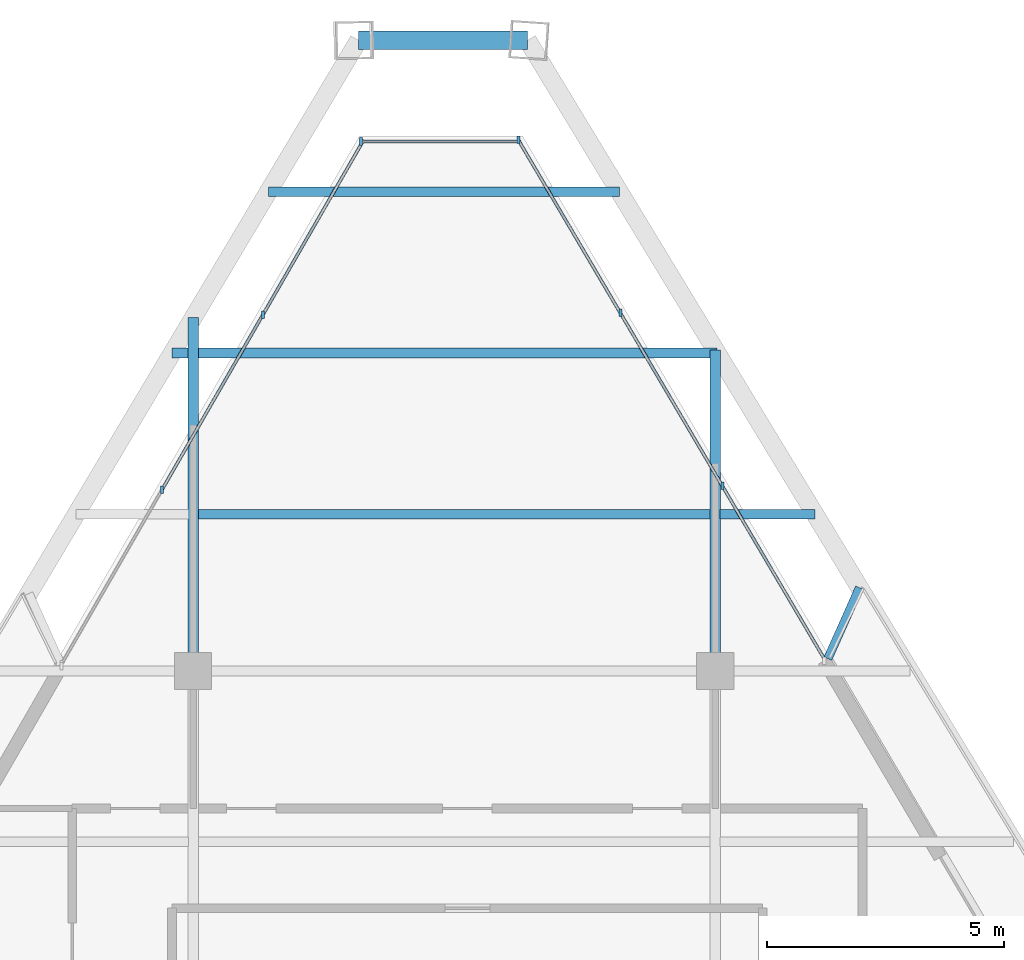
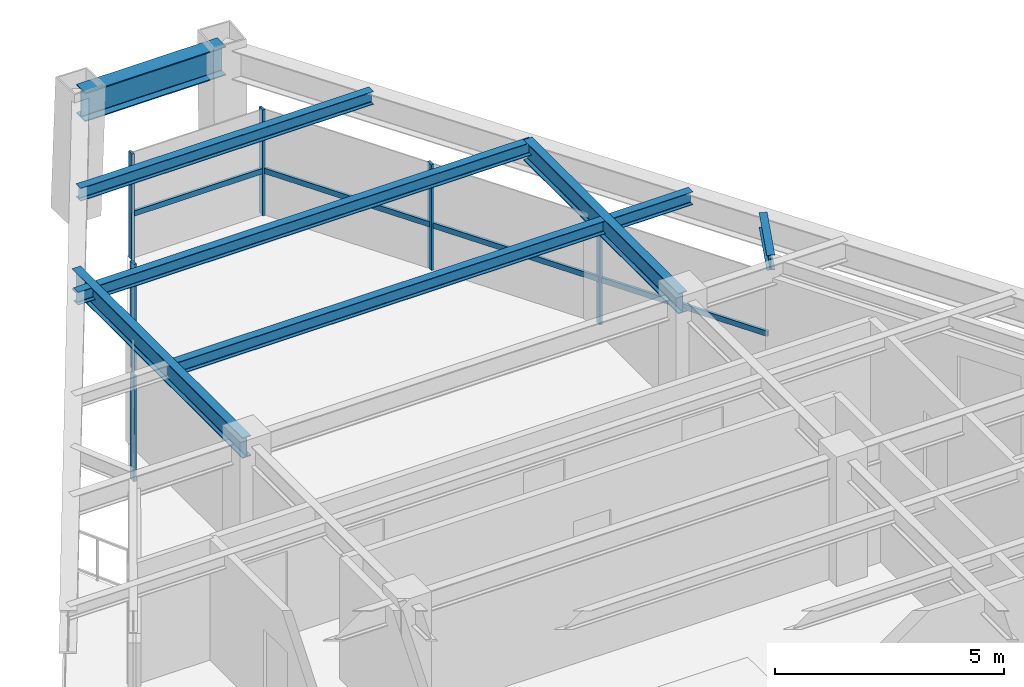
# One storey, part 7 of 13: 12 members, 8 beams, 3 elements without a shape of their own.
"""IFC4 building model written with IfcOpenShell, lengths in metres."""

from ifc_helpers import new_model, si_unit, direction, frame, origin, origin_2d, place, context, subcontext, project, spatial, rectangle, i_section, extrude, source, transform, mapped, material, material_profile, profile_set, type_object, type_shapes, element, aggregate, save


model = new_model("IFC4")

# Units and contexts
model_context = context("Model", 3, precision=1e-05, world=origin(), true_north=direction((0.0, 1.0)))
body_context = subcontext(model_context, "Body", "Model", "MODEL_VIEW")
ifc_project = project(units=[si_unit("LENGTHUNIT", "METRE"), si_unit("AREAUNIT", "SQUARE_METRE"), si_unit("VOLUMEUNIT", "CUBIC_METRE"), si_unit("PLANEANGLEUNIT", "RADIAN"), si_unit("MASSUNIT", "GRAM", prefix="KILO")], contexts=[model_context])

# Site, building, storey
site_placement = place(None, origin())
site = spatial("IfcSite", under=ifc_project, at=site_placement, CompositionType="ELEMENT")
building_placement = place(site_placement, origin())
building = spatial("IfcBuilding", under=site, at=building_placement, Name="Varnakhor Terracotta Tower", CompositionType="ELEMENT")
storey_placement = place(building_placement, frame((0.0, 0.0, 279.89990234375)))
storey = spatial("IfcBuildingStorey", under=building, at=storey_placement, Name="L73", CompositionType="ELEMENT", Elevation=279.89990234375)

# Beams
ifc_material_1 = material(Name="Steel S355", Category="steel")
ifc_material_profile_1 = material_profile(ifc_material_1, i_section(OverallWidth=0.202880859375, OverallDepth=0.346923828125, WebThickness=0.0078125, FlangeThickness=0.013427734375, FilletRadius=0.01806640625, at=origin_2d()), Name="W14X43")
ifc_profile_set_1 = profile_set([ifc_material_profile_1], Name="Steel S355")
beam_type_1 = type_object("IfcBeamType", Name="JST-W14X43", PredefinedType="JOIST", material=ifc_profile_set_1)
shared_shape_1 = source(origin(), body_context, "Body", "SweptSolid", [
    extrude(i_section(OverallWidth=0.202880859375, OverallDepth=0.346923828125, WebThickness=0.0078125, FlangeThickness=0.013427734375, FilletRadius=0.01806640625, at=origin_2d()), origin(), (0.0, 0.0, 1.0), 10.7939453125),
])
beam_1_placement = place(storey_placement, frame((-5.39697265625, 34.800048828125, 3.066650390625), z_axis=(1.0, 0.0, 0.0), x_axis=(0.0, 1.0, 0.0)))
element("IfcBeam", 1, at=beam_1_placement, inside=storey, type_object=beam_type_1, Name="L73 Composite Floor Joist 7-2", PredefinedType="JOIST", context=body_context, shape_type="MappedRepresentation", body=[
    mapped(shared_shape_1, transform((0.0, 0.0, 0.0), scale=1.0)),
])
ifc_material_profile_2 = material_profile(ifc_material_1, i_section(OverallWidth=0.381103515625, OverallDepth=0.77294921875, WebThickness=0.01708984375, FlangeThickness=0.027099609375, FilletRadius=0.01806640625, at=origin_2d()), Name="W30X173")
ifc_profile_set_2 = profile_set([ifc_material_profile_2], Name="Steel S355")
beam_type_2 = type_object("IfcBeamType", Name="BM-W30X173", PredefinedType="BEAM", material=ifc_profile_set_2)
shared_shape_2 = source(origin(), body_context, "Body", "SweptSolid", [
    extrude(i_section(OverallWidth=0.381103515625, OverallDepth=0.77294921875, WebThickness=0.01708984375, FlangeThickness=0.027099609375, FilletRadius=0.01806640625, at=origin_2d()), origin(), (0.0, 0.0, 1.0), 3.559814453125),
])
beam_2_placement = place(storey_placement, frame((1.544189453125, 44.78955078125, 2.853515625), z_axis=(-1.0, 0.0, 0.0), x_axis=(0.0, -1.0, 0.0)))
element("IfcBeam", 2, at=beam_2_placement, inside=storey, type_object=beam_type_2, Name="L73 Perimeter Spandrel 5", PredefinedType="BEAM", context=body_context, shape_type="MappedRepresentation", body=[
    mapped(shared_shape_2, transform((0.0, 0.0, 0.0), scale=1.0)),
])
ifc_material_profile_3 = material_profile(ifc_material_1, i_section(OverallWidth=0.214111328125, OverallDepth=0.549072265625, WebThickness=0.014892578125, FlangeThickness=0.02392578125, FilletRadius=0.01806640625, at=origin_2d()), Name="W21X93")
ifc_profile_set_3 = profile_set([ifc_material_profile_3], Name="Steel S355")
beam_type_3 = type_object("IfcBeamType", Name="BM-W21X93", PredefinedType="BEAM", material=ifc_profile_set_3)
shared_shape_3 = source(origin(), body_context, "Body", "SweptSolid", [
    extrude(i_section(OverallWidth=0.214111328125, OverallDepth=0.549072265625, WebThickness=0.014892578125, FlangeThickness=0.02392578125, FilletRadius=0.01806640625, at=origin_2d()), origin(), (0.0, 0.0, 1.0), 7.443115234375),
])
beam_3_placement = place(storey_placement, frame((-5.5, 31.5, 2.965576171875), z_axis=(0.0, 1.0, 0.0), x_axis=(-1.0, 0.0, 0.0)))
element("IfcBeam", 3, at=beam_3_placement, inside=storey, type_object=beam_type_3, Name="L73 Primary Girder NS3-W", PredefinedType="BEAM", context=body_context, shape_type="MappedRepresentation", body=[
    mapped(shared_shape_3, transform((0.0, 0.0, 0.0), scale=1.0)),
])
shared_shape_4 = source(origin(), body_context, "Body", "SweptSolid", [
    extrude(i_section(OverallWidth=0.214111328125, OverallDepth=0.549072265625, WebThickness=0.014892578125, FlangeThickness=0.02392578125, FilletRadius=0.01806640625, at=origin_2d()), origin(), (0.0, 0.0, 1.0), 6.767333984375),
])
beam_4_placement = place(storey_placement, frame((5.5, 31.5, 2.965576171875), z_axis=(0.0, 1.0, 0.0), x_axis=(-1.0, 0.0, 0.0)))
element("IfcBeam", 4, at=beam_4_placement, inside=storey, type_object=beam_type_3, Name="L73 Primary Girder NS3-E", PredefinedType="BEAM", context=body_context, shape_type="MappedRepresentation", body=[
    mapped(shared_shape_4, transform((0.0, 0.0, 0.0), scale=1.0)),
])
shared_shape_5 = source(origin(), body_context, "Body", "SweptSolid", [
    extrude(i_section(OverallWidth=0.202880859375, OverallDepth=0.346923828125, WebThickness=0.0078125, FlangeThickness=0.013427734375, FilletRadius=0.01806640625, at=origin_2d()), origin(), (0.0, 0.0, 1.0), 1.999755859375),
])
beam_5_placement = place(storey_placement, frame((5.60302734375, 34.800048828125, 3.066650390625), z_axis=(1.0, 0.0, 0.0), x_axis=(0.0, 1.0, 0.0)))
element("IfcBeam", 5, at=beam_5_placement, inside=storey, type_object=beam_type_1, Name="L73 Composite Floor Joist 7-3", PredefinedType="JOIST", context=body_context, shape_type="MappedRepresentation", body=[
    mapped(shared_shape_5, transform((0.0, 0.0, 0.0), scale=1.0)),
])
shared_shape_6 = source(origin(), body_context, "Body", "SweptSolid", [
    extrude(i_section(OverallWidth=0.202880859375, OverallDepth=0.346923828125, WebThickness=0.0078125, FlangeThickness=0.013427734375, FilletRadius=0.01806640625, at=origin_2d()), origin(), (0.0, 0.0, 1.0), 11.483642578125),
])
beam_6_placement = place(storey_placement, frame((-5.94287109375, 38.199951171875, 3.066650390625), z_axis=(1.0, 0.0, 0.0), x_axis=(0.0, 1.0, 0.0)))
element("IfcBeam", 6, at=beam_6_placement, inside=storey, type_object=beam_type_1, Name="L73 Composite Floor Joist 8-1", PredefinedType="JOIST", context=body_context, shape_type="MappedRepresentation", body=[
    mapped(shared_shape_6, transform((0.0, 0.0, 0.0), scale=1.0)),
])
shared_shape_7 = source(origin(), body_context, "Body", "SweptSolid", [
    extrude(i_section(OverallWidth=0.202880859375, OverallDepth=0.346923828125, WebThickness=0.0078125, FlangeThickness=0.013427734375, FilletRadius=0.01806640625, at=origin_2d()), origin(), (0.0, 0.0, 1.0), 7.395263671875),
])
beam_7_placement = place(storey_placement, frame((-3.91650390625, 41.60009765625, 3.066650390625), z_axis=(1.0, 0.0, 0.0), x_axis=(0.0, 1.0, 0.0)))
element("IfcBeam", 7, at=beam_7_placement, inside=storey, type_object=beam_type_1, Name="L73 Composite Floor Joist 9-1", PredefinedType="JOIST", context=body_context, shape_type="MappedRepresentation", body=[
    mapped(shared_shape_7, transform((0.0, 0.0, 0.0), scale=1.0)),
])

# Curtain wall, members
ifc_material_2 = material(Name="Anodised Aluminium Curtain Wall System", Category="aluminium")
curtain_wall_type = type_object("IfcCurtainWallType", Name="CW-SYS-HOTEL-LOGGIA", PredefinedType="NOTDEFINED", material=ifc_material_2)
curtain_wall_1_placement = place(storey_placement, origin())
curtain_wall_1 = element("IfcCurtainWall", 8, at=curtain_wall_1_placement, inside=storey, type_object=curtain_wall_type, Name="L73 W Facet Curtain Wall 2", PredefinedType="NOTDEFINED")
ifc_material_3 = material(Name="Anodised Aluminium 6063-T6", Category="aluminium")
ifc_material_profile_4 = material_profile(ifc_material_3, rectangle(XDim=0.06494140625, YDim=0.159912109375, at=origin_2d()), Name="ALU MULLION 65x160")
ifc_profile_set_4 = profile_set([ifc_material_profile_4], Name="Anodised Aluminium 6063-T6")
member_type_1 = type_object("IfcMemberType", Name="CWM-04", PredefinedType="MULLION", material=ifc_profile_set_4)
shared_shape_8 = source(origin(), body_context, "Body", "SweptSolid", [
    extrude(rectangle(XDim=0.06494140625, YDim=0.159912109375, at=origin_2d()), origin(), (0.0, 0.0, 1.0), 2.820068359375),
])
type_shapes(member_type_1, [shared_shape_8])
member_1_placement = place(storey_placement, frame((-6.15576171875, 35.321044921875, 0.0), z_axis=(0.0, 0.0, 1.0), x_axis=(1.0, 0.0, 0.0)))
member_1 = element("IfcMember", 9, at=member_1_placement, type_object=member_type_1, Name="L73 W Facet Curtain Wall 2 Mullion 2", PredefinedType="MULLION", context=body_context, shape_type="MappedRepresentation", body=[
    mapped(shared_shape_8, transform((0.0, 0.0, 0.0), scale=1.0)),
])
member_2_placement = place(storey_placement, frame((-4.03125, 39.00537109375, 0.0), z_axis=(0.0, 0.0, 1.0), x_axis=(1.0, 0.0, 0.0)))
member_2 = element("IfcMember", 10, at=member_2_placement, type_object=member_type_1, Name="L73 W Facet Curtain Wall 2 Mullion 3", PredefinedType="MULLION", context=body_context, shape_type="MappedRepresentation", body=[
    mapped(shared_shape_8, transform((0.0, 0.0, 0.0), scale=1.0)),
])

# Curtain wall, member
curtain_wall_2_placement = place(storey_placement, origin())
curtain_wall_2 = element("IfcCurtainWall", 11, at=curtain_wall_2_placement, inside=storey, type_object=curtain_wall_type, Name="L73 Facet Curtain Wall 2", PredefinedType="NOTDEFINED")
member_3_placement = place(storey_placement, frame((-1.9658203125, 42.655517578125, 0.0), z_axis=(0.0, 0.0, 1.0), x_axis=(1.0, 0.0, 0.0)))
member_3 = element("IfcMember", 12, at=member_3_placement, type_object=member_type_1, Name="L73 Facet Curtain Wall 2 Mullion 1", PredefinedType="MULLION", context=body_context, shape_type="MappedRepresentation", body=[
    mapped(shared_shape_8, transform((0.0, 0.0, 0.0), scale=1.0)),
])

# Curtain wall, members
curtain_wall_3_placement = place(storey_placement, origin())
curtain_wall_3 = element("IfcCurtainWall", 13, at=curtain_wall_3_placement, inside=storey, type_object=curtain_wall_type, Name="L73 E Facet Curtain Wall 1", PredefinedType="NOTDEFINED")
member_4_placement = place(storey_placement, frame((1.35009765625, 42.688720703125, 0.0), z_axis=(0.0, 0.0, 1.0), x_axis=(1.0, 0.0, 0.0)))
member_4 = element("IfcMember", 14, at=member_4_placement, type_object=member_type_1, Name="L73 E Facet Curtain Wall 1 Mullion 1", PredefinedType="MULLION", context=body_context, shape_type="MappedRepresentation", body=[
    mapped(shared_shape_8, transform((0.0, 0.0, 0.0), scale=1.0)),
])
member_5_placement = place(storey_placement, frame((3.49951171875, 39.04345703125, 0.0), z_axis=(0.0, 0.0, 1.0), x_axis=(1.0, 0.0, 0.0)))
member_5 = element("IfcMember", 15, at=member_5_placement, type_object=member_type_1, Name="L73 E Facet Curtain Wall 1 Mullion 2", PredefinedType="MULLION", context=body_context, shape_type="MappedRepresentation", body=[
    mapped(shared_shape_8, transform((0.0, 0.0, 0.0), scale=1.0)),
])
member_6_placement = place(storey_placement, frame((5.64892578125, 35.398193359375, 0.0), z_axis=(0.0, 0.0, 1.0), x_axis=(1.0, 0.0, 0.0)))
member_6 = element("IfcMember", 16, at=member_6_placement, type_object=member_type_1, Name="L73 E Facet Curtain Wall 1 Mullion 3", PredefinedType="MULLION", context=body_context, shape_type="MappedRepresentation", body=[
    mapped(shared_shape_8, transform((0.0, 0.0, 0.0), scale=1.0)),
])

# Beam
ifc_material_profile_5 = material_profile(ifc_material_1, i_section(OverallWidth=0.179931640625, OverallDepth=0.39990234375, WebThickness=0.008544921875, FlangeThickness=0.013427734375, FilletRadius=0.01806640625, at=origin_2d()), Name="IPE400")
ifc_profile_set_5 = profile_set([ifc_material_profile_5], Name="Steel S355")
beam_type_4 = type_object("IfcBeamType", Name="JST-IPE400", PredefinedType="JOIST", material=ifc_profile_set_5)
shared_shape_9 = source(origin(), body_context, "Body", "SweptSolid", [
    extrude(i_section(OverallWidth=0.179931640625, OverallDepth=0.39990234375, WebThickness=0.008544921875, FlangeThickness=0.013427734375, FilletRadius=0.01806640625, at=origin_2d()), origin(), (0.0, 0.0, 1.0), 1.639404296875),
])
beam_8_placement = place(storey_placement, frame((7.87255859375, 31.757080078125, 3.0400390625), z_axis=(0.407284952084, 0.913301137526, 0.0), x_axis=(-0.913301137526, 0.407284952084, 0.0)))
element("IfcBeam", 17, at=beam_8_placement, inside=storey, type_object=beam_type_4, Name="L74 E Loggia Tie Beam 1", PredefinedType="JOIST", context=body_context, shape_type="MappedRepresentation", body=[
    mapped(shared_shape_9, transform((0.0, 0.0, 0.0), scale=1.0)),
])

# Member
ifc_material_profile_6 = material_profile(ifc_material_3, rectangle(XDim=0.06494140625, YDim=0.14501953125, at=origin_2d()), Name="ALU TRANSOM 65x145")
ifc_profile_set_6 = profile_set([ifc_material_profile_6], Name="Anodised Aluminium 6063-T6")
member_type_2 = type_object("IfcMemberType", Name="CWT-04", PredefinedType="USERDEFINED", material=ifc_profile_set_6)
shared_shape_10 = source(origin(), body_context, "Body", "SweptSolid", [
    extrude(rectangle(XDim=0.06494140625, YDim=0.14501953125, at=origin_2d()), origin(), (0.0, 0.0, 1.0), 4.2529296875),
])
member_7_placement = place(storey_placement, frame((-6.15576171875, 35.321044921875, 1.1845703125), z_axis=(0.499535255518, 0.86629355792, 0.0), x_axis=(-0.86629355792, 0.499535255518, 0.0)))
member_7 = element("IfcMember", 18, at=member_7_placement, type_object=member_type_2, Name="L73 W Facet Curtain Wall 2 Transom 2", ObjectType="TRANSOM", PredefinedType="USERDEFINED", context=body_context, shape_type="MappedRepresentation", body=[
    mapped(shared_shape_10, transform((0.0, 0.0, 0.0), scale=1.0)),
])

member_8_placement = place(storey_placement, frame((-4.03125, 39.00537109375, 1.1845703125), z_axis=(0.499535255518, 0.86629355792, 0.0), x_axis=(-0.86629355792, 0.499535255518, 0.0)))
member_8 = element("IfcMember", 19, at=member_8_placement, type_object=member_type_2, Name="L73 W Facet Curtain Wall 2 Transom 3", ObjectType="TRANSOM", PredefinedType="USERDEFINED", context=body_context, shape_type="MappedRepresentation", body=[
    mapped(shared_shape_10, transform((0.0, 0.0, 0.0), scale=1.0)),
])

aggregate(curtain_wall_1, [member_1, member_7, member_2, member_8])

shared_shape_11 = source(origin(), body_context, "Body", "SweptSolid", [
    extrude(rectangle(XDim=0.06494140625, YDim=0.14501953125, at=origin_2d()), origin(), (0.0, 0.0, 1.0), 3.3740234375),
])
member_9_placement = place(storey_placement, frame((-1.9658203125, 42.655517578125, 1.1845703125), z_axis=(1.0, 0.0, 0.0), x_axis=(0.0, 1.0, 0.0)))
member_9 = element("IfcMember", 20, at=member_9_placement, type_object=member_type_2, Name="L73 Facet Curtain Wall 2 Transom 1", ObjectType="TRANSOM", PredefinedType="USERDEFINED", context=body_context, shape_type="MappedRepresentation", body=[
    mapped(shared_shape_11, transform((0.0, 0.0, 0.0), scale=1.0)),
])

aggregate(curtain_wall_2, [member_3, member_9])

shared_shape_12 = source(origin(), body_context, "Body", "SweptSolid", [
    extrude(rectangle(XDim=0.06494140625, YDim=0.14501953125, at=origin_2d()), origin(), (0.0, 0.0, 1.0), 4.231689453125),
])
member_10_placement = place(storey_placement, frame((1.35009765625, 42.688720703125, 1.1845703125), z_axis=(0.507922457705, -0.861402796001, 0.0), x_axis=(0.861402796001, 0.507922457705, 0.0)))
member_10 = element("IfcMember", 21, at=member_10_placement, type_object=member_type_2, Name="L73 E Facet Curtain Wall 1 Transom 1", ObjectType="TRANSOM", PredefinedType="USERDEFINED", context=body_context, shape_type="MappedRepresentation", body=[
    mapped(shared_shape_12, transform((0.0, 0.0, 0.0), scale=1.0)),
])

member_11_placement = place(storey_placement, frame((3.49951171875, 39.04345703125, 1.1845703125), z_axis=(0.507922457705, -0.861402796001, 0.0), x_axis=(0.861402796001, 0.507922457705, 0.0)))
member_11 = element("IfcMember", 22, at=member_11_placement, type_object=member_type_2, Name="L73 E Facet Curtain Wall 1 Transom 2", ObjectType="TRANSOM", PredefinedType="USERDEFINED", context=body_context, shape_type="MappedRepresentation", body=[
    mapped(shared_shape_12, transform((0.0, 0.0, 0.0), scale=1.0)),
])

shared_shape_13 = source(origin(), body_context, "Body", "SweptSolid", [
    extrude(rectangle(XDim=0.06494140625, YDim=0.14501953125, at=origin_2d()), origin(), (0.0, 0.0, 1.0), 4.232177734375),
])
member_12_placement = place(storey_placement, frame((5.64892578125, 35.398193359375, 1.1845703125), z_axis=(0.507940022861, -0.861392438541, 0.0), x_axis=(0.861392438541, 0.507940022861, 0.0)))
member_12 = element("IfcMember", 23, at=member_12_placement, type_object=member_type_2, Name="L73 E Facet Curtain Wall 1 Transom 3", ObjectType="TRANSOM", PredefinedType="USERDEFINED", context=body_context, shape_type="MappedRepresentation", body=[
    mapped(shared_shape_13, transform((0.0, 0.0, 0.0), scale=1.0)),
])

aggregate(curtain_wall_3, [member_4, member_10, member_5, member_11, member_6, member_12])

save(model, "model.ifc")
